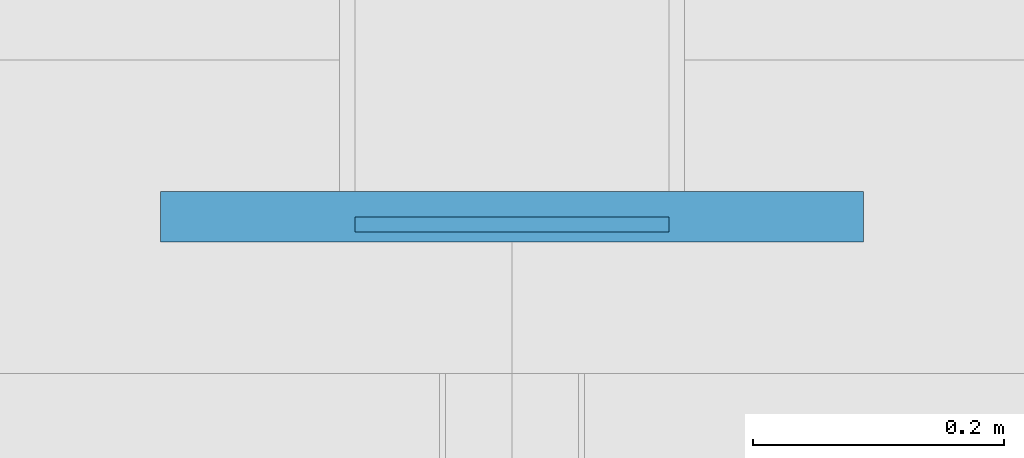
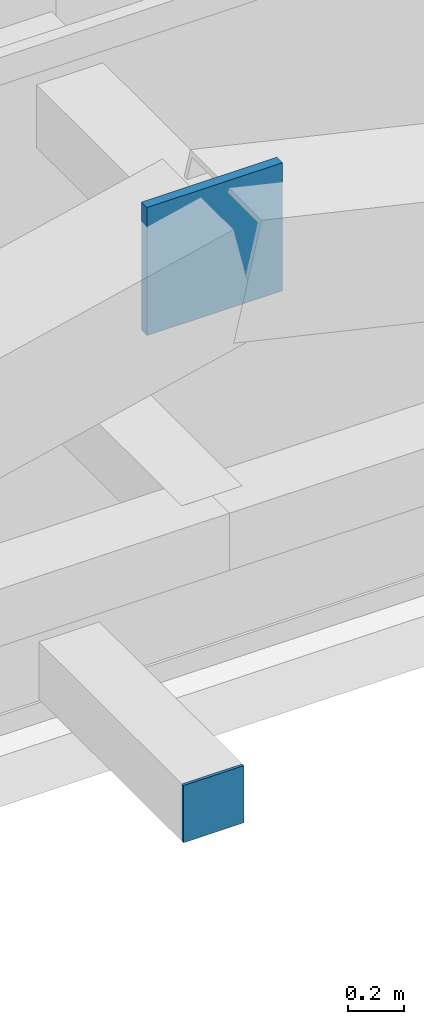
# One storey, part 45 of 59: 2 plates.
"""IFC4 building model written with IfcOpenShell, lengths in metres."""

from ifc_helpers import new_model, si_unit, direction, frame, origin, origin_2d, place, context, subcontext, project, spatial, rectangle, extrude, source, transform, mapped, material, layer, layer_set, type_object, element, save


model = new_model("IFC4")

# Units and contexts
model_context = context("Model", 3, precision=1e-05, world=origin(), true_north=direction((0.0, 1.0)))
body_context = subcontext(model_context, "Body", "Model", "MODEL_VIEW")
ifc_project = project(units=[si_unit("LENGTHUNIT", "METRE"), si_unit("AREAUNIT", "SQUARE_METRE"), si_unit("VOLUMEUNIT", "CUBIC_METRE"), si_unit("PLANEANGLEUNIT", "RADIAN"), si_unit("MASSUNIT", "GRAM", prefix="KILO")], contexts=[model_context])

# Site, building, storey
site_placement = place(None, origin())
site = spatial("IfcSite", under=ifc_project, at=site_placement, CompositionType="ELEMENT")
building_placement = place(site_placement, origin())
building = spatial("IfcBuilding", under=site, at=building_placement, Name="Taldren Reach Tower", CompositionType="ELEMENT")
storey_placement = place(building_placement, frame((0.0, 0.0, 26.25)))
storey = spatial("IfcBuildingStorey", under=building, at=storey_placement, Name="L07", CompositionType="ELEMENT", Elevation=26.25)

# Plates
ifc_material_1 = material(Name="Steel Gr 450 (C450L0)", Category="steel")
ifc_layer_1 = layer(ifc_material_1, 0.0400390625)
ifc_layer_set_1 = layer_set([ifc_layer_1], Name="Steel Gr 450 (C450L0)")
plate_type_1 = type_object("IfcPlateType", Name="PL-GUSSET-40", PredefinedType="SHEET", material=ifc_layer_set_1)
shared_shape_1 = source(origin(), body_context, "Body", "SweptSolid", [
    extrude(rectangle(XDim=0.56005859375, YDim=0.0400390625, at=origin_2d()), origin(), (0.0, 0.0, 1.0), 0.56005859375),
])
plate_1_placement = place(storey_placement, frame((29.760009765625, 0.60009765625, 2.369873046875), z_axis=(0.0, 0.0, 1.0), x_axis=(1.0, 0.0, 0.0)))
element("IfcPlate", 1, at=plate_1_placement, inside=storey, type_object=plate_type_1, Name="Exoskeleton star-node gusset plate B1-S3 L07", PredefinedType="SHEET", context=body_context, shape_type="MappedRepresentation", body=[
    mapped(shared_shape_1, transform((0.0, 0.0, 0.0), scale=1.0)),
])
ifc_material_2 = material(Name="Steel Gr 350 (C350L0)", Category="steel")
ifc_layer_2 = layer(ifc_material_2, 0.011962890625)
ifc_layer_set_2 = layer_set([ifc_layer_2], Name="Steel Gr 350 (C350L0)")
plate_type_2 = type_object("IfcPlateType", Name="PL-CAP-250", PredefinedType="SHEET", material=ifc_layer_set_2)
shared_shape_2 = source(origin(), body_context, "Body", "SweptSolid", [
    extrude(rectangle(XDim=0.25, YDim=0.011962890625, at=origin_2d()), origin(), (0.0, 0.0, 1.0), 0.25),
])
plate_2_placement = place(storey_placement, frame((29.760009765625, 0.593994140625, 0.094970703125), z_axis=(0.0, 0.0, 1.0), x_axis=(1.0, 0.0, 0.0)))
element("IfcPlate", 2, at=plate_2_placement, inside=storey, type_object=plate_type_2, Name="Tie strut end cap plate B1-S3 L07", PredefinedType="SHEET", context=body_context, shape_type="MappedRepresentation", body=[
    mapped(shared_shape_2, transform((0.0, 0.0, 0.0), scale=1.0)),
])

save(model, "model.ifc")
